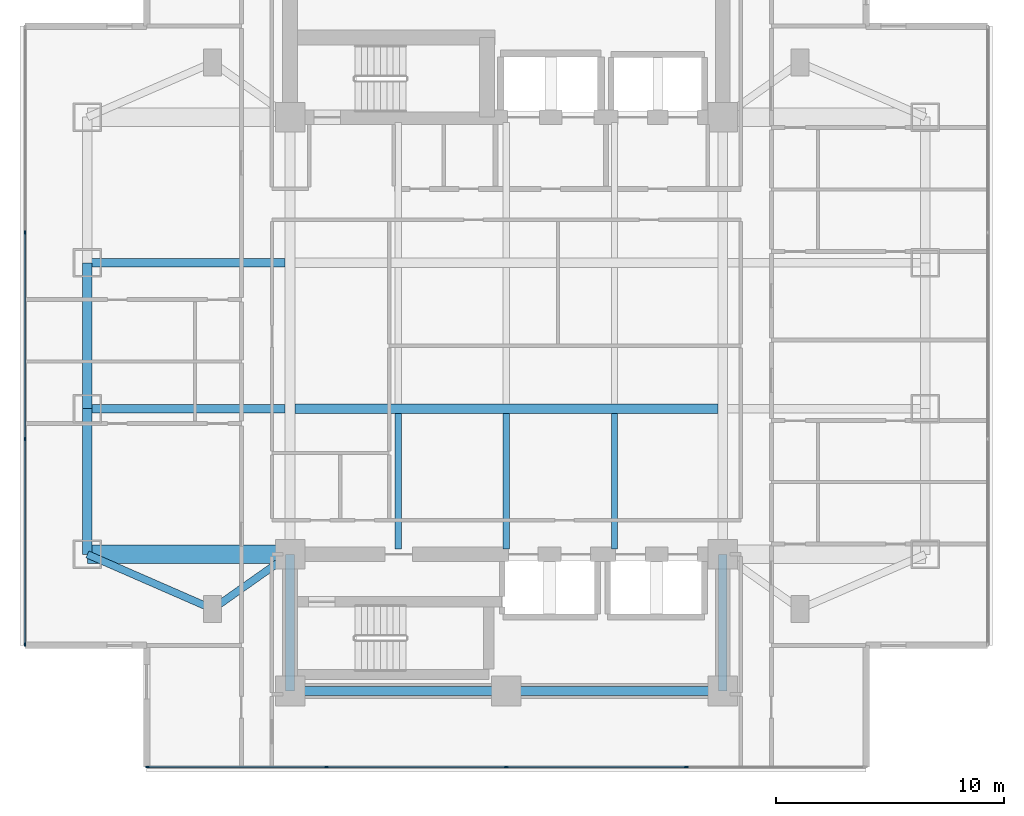
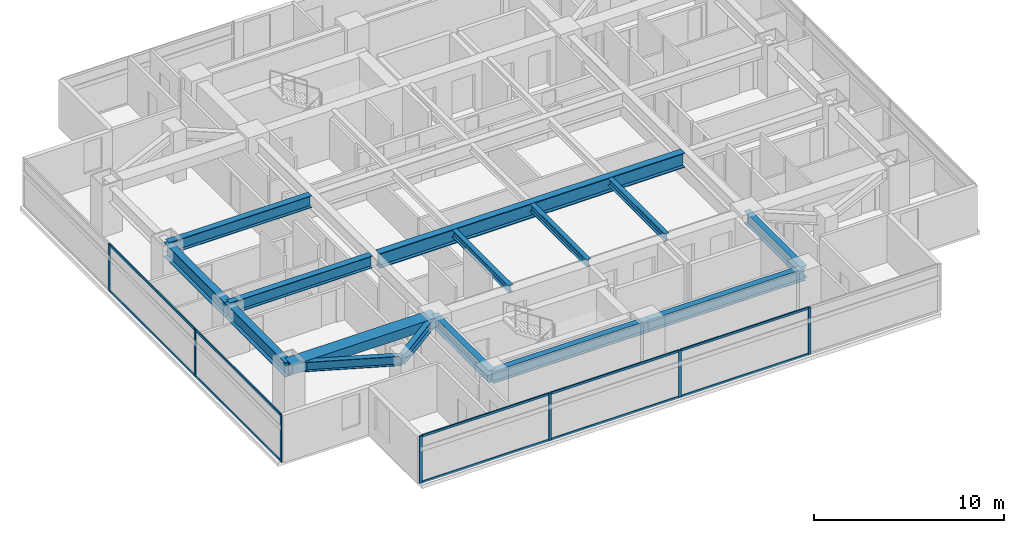
# One storey, part 2 of 25: 17 members, 15 beams, 2 elements without a shape of their own.
"""IFC4 building model written with IfcOpenShell, lengths in metres."""

from ifc_helpers import new_model, si_unit, direction, frame, origin, origin_2d, place, context, subcontext, project, spatial, rectangle, i_section, extrude, material, material_profile, profile_set, type_object, element, aggregate, save


model = new_model("IFC4")

# Units and contexts
model_context = context("Model", 3, precision=1e-05, world=origin(), true_north=direction((0.0, 1.0)))
body_context = subcontext(model_context, "Body", "Model", "MODEL_VIEW")
ifc_project = project(units=[si_unit("LENGTHUNIT", "METRE"), si_unit("AREAUNIT", "SQUARE_METRE"), si_unit("VOLUMEUNIT", "CUBIC_METRE"), si_unit("PLANEANGLEUNIT", "RADIAN"), si_unit("MASSUNIT", "GRAM", prefix="KILO")], contexts=[model_context])

# Site, building, storey
site_placement = place(None, origin())
site = spatial("IfcSite", under=ifc_project, at=site_placement, CompositionType="ELEMENT")
building_placement = place(site_placement, origin())
building = spatial("IfcBuilding", under=site, at=building_placement, Name="Mirazonda Arch Towers", CompositionType="ELEMENT")
storey_placement = place(building_placement, frame((0.0, 0.0, 58.699951171875)))
storey = spatial("IfcBuildingStorey", under=building, at=storey_placement, Name="L16", CompositionType="ELEMENT", Elevation=58.699951171875)

# Beams
ifc_material_1 = material(Name="Steel ASTM A992 Grade 50", Category="steel")
ifc_material_profile_1 = material_profile(ifc_material_1, i_section(OverallWidth=0.41796875, OverallDepth=0.927001953125, WebThickness=0.019287109375, FlangeThickness=0.031982421875, at=origin_2d()), Name="W36X231")
ifc_profile_set_1 = profile_set([ifc_material_profile_1], Name="Steel ASTM A992 Grade 50")
beam_type_1 = type_object("IfcBeamType", Name="BM-EXT-W36X231", PredefinedType="USERDEFINED", material=ifc_profile_set_1)
beam_1_placement = place(storey_placement, frame((2.10009765625, 18.39990234375, 2.596435546875), z_axis=(0.0, 1.0, 0.0), x_axis=(-1.0, 0.0, 0.0)))
element("IfcBeam", 1, at=beam_1_placement, inside=storey, type_object=beam_type_1, Name="L16 Floor Beam BM-T1-L16-NS-W-18", ObjectType="GIRDER", PredefinedType="USERDEFINED", context=body_context, shape_type="SweptSolid", body=[
    extrude(i_section(OverallWidth=0.41796875, OverallDepth=0.927001953125, WebThickness=0.019287109375, FlangeThickness=0.031982421875, at=origin_2d()), origin(), (0.0, 0.0, 1.0), 6.400146484375),
])
beam_2_placement = place(storey_placement, frame((2.10009765625, 24.800048828125, 2.596435546875), z_axis=(0.0, 1.0, 0.0), x_axis=(-1.0, 0.0, 0.0)))
element("IfcBeam", 2, at=beam_2_placement, inside=storey, type_object=beam_type_1, Name="L16 Floor Beam BM-T1-L16-NS-W-24", ObjectType="GIRDER", PredefinedType="USERDEFINED", context=body_context, shape_type="SweptSolid", body=[
    extrude(i_section(OverallWidth=0.41796875, OverallDepth=0.927001953125, WebThickness=0.019287109375, FlangeThickness=0.031982421875, at=origin_2d()), origin(), (0.0, 0.0, 1.0), 6.39990234375),
])
ifc_material_profile_2 = material_profile(ifc_material_1, i_section(OverallWidth=0.280029296875, OverallDepth=0.462890625, WebThickness=0.0107421875, FlangeThickness=0.017333984375, at=origin_2d()), Name="W18X76")
ifc_profile_set_2 = profile_set([ifc_material_profile_2], Name="Steel ASTM A992 Grade 50")
beam_type_2 = type_object("IfcBeamType", Name="BM-INT-W18X76", PredefinedType="JOIST", material=ifc_profile_set_2)
for number, where, z_axis, x_axis, name in (
    (3, (15.75, 18.639892578125, 2.82861328125), (0.0, 1.0, 0.0), (-1.0, 0.0, 0.0), "L16 Floor Beam BM-T1-L16-J-157-18"),
    (4, (20.5, 18.639892578125, 2.82861328125), (0.0, 1.0, 0.0), (-1.0, 0.0, 0.0), "L16 Floor Beam BM-T1-L16-J-205-18"),
    (5, (25.25, 18.639892578125, 2.82861328125), (0.0, 1.0, 0.0), (-1.0, 0.0, 0.0), "L16 Floor Beam BM-T1-L16-J-252-18"),
):
    element("IfcBeam", number, at=place(storey_placement, frame(where, z_axis=z_axis, x_axis=x_axis)), inside=storey, type_object=beam_type_2, Name=name, PredefinedType="JOIST", context=body_context, shape_type="SweptSolid", body=[
        extrude(i_section(OverallWidth=0.280029296875, OverallDepth=0.462890625, WebThickness=0.0107421875, FlangeThickness=0.017333984375, at=origin_2d()), origin(), (0.0, 0.0, 1.0), 5.95263671875),
    ])
ifc_material_profile_3 = material_profile(ifc_material_1, i_section(OverallWidth=0.324951171875, OverallDepth=0.615966796875, WebThickness=0.013916015625, FlangeThickness=0.021484375, at=origin_2d()), Name="W24X117")
ifc_profile_set_3 = profile_set([ifc_material_profile_3], Name="Steel ASTM A992 Grade 50")
beam_type_3 = type_object("IfcBeamType", Name="BM-INT-W24X117", PredefinedType="BEAM", material=ifc_profile_set_3)
beam_3_placement = place(storey_placement, frame((7.60009765625, 16.0, 2.751953125), z_axis=(0.816971114901, 0.576678591087, 0.0), x_axis=(-0.576678591087, 0.816971114901, 0.0)))
element("IfcBeam", 6, at=beam_3_placement, inside=storey, type_object=beam_type_3, Name="L16 Floor Beam BM-T1-L16-PL-SW1", PredefinedType="BEAM", context=body_context, shape_type="SweptSolid", body=[
    extrude(i_section(OverallWidth=0.324951171875, OverallDepth=0.615966796875, WebThickness=0.013916015625, FlangeThickness=0.021484375, at=origin_2d()), origin(), (0.0, 0.0, 1.0), 4.16162109375),
])
beam_4_placement = place(storey_placement, frame((7.60009765625, 16.0, 2.751953125), z_axis=(-0.916545343703, 0.399930785183, 0.0), x_axis=(-0.399930785183, -0.916545343703, 0.0)))
element("IfcBeam", 7, at=beam_4_placement, inside=storey, type_object=beam_type_3, Name="L16 Floor Beam BM-T1-L16-PL-SW2", PredefinedType="BEAM", context=body_context, shape_type="SweptSolid", body=[
    extrude(i_section(OverallWidth=0.324951171875, OverallDepth=0.615966796875, WebThickness=0.013916015625, FlangeThickness=0.021484375, at=origin_2d()), origin(), (0.0, 0.0, 1.0), 6.000732421875),
])
ifc_material_profile_4 = material_profile(ifc_material_1, i_section(OverallWidth=0.381103515625, OverallDepth=0.77294921875, WebThickness=0.0166015625, FlangeThickness=0.027099609375, at=origin_2d()), Name="W30X173")
ifc_profile_set_4 = profile_set([ifc_material_profile_4], Name="Steel ASTM A992 Grade 50")
beam_type_4 = type_object("IfcBeamType", Name="BM-INT-W30X173", PredefinedType="USERDEFINED", material=ifc_profile_set_4)
for number, where, z_axis, x_axis, name in (
    (8, (2.10009765625, 24.800048828125, 2.673583984375), (1.0, 0.0, 0.0), (0.0, 1.0, 0.0), "L16 Floor Beam BM-T1-L16-GW2"),
    (9, (2.10009765625, 31.199951171875, 2.673583984375), (1.0, 0.0, 0.0), (0.0, 1.0, 0.0), "L16 Floor Beam BM-T1-L16-GW3"),
):
    element("IfcBeam", number, at=place(storey_placement, frame(where, z_axis=z_axis, x_axis=x_axis)), inside=storey, type_object=beam_type_4, Name=name, ObjectType="GIRDER", PredefinedType="USERDEFINED", context=body_context, shape_type="SweptSolid", body=[
        extrude(i_section(OverallWidth=0.381103515625, OverallDepth=0.77294921875, WebThickness=0.0166015625, FlangeThickness=0.027099609375, at=origin_2d()), origin(), (0.0, 0.0, 1.0), 8.6884765625),
    ])
for number, where, z_axis, x_axis, name in (
    (10, (11.0, 12.39990234375, 2.673583984375), (1.0, 0.0, 0.0), (0.0, 1.0, 0.0), "L16 Floor Beam BM-T1-L16-CS1"),
    (11, (20.5, 12.39990234375, 2.673583984375), (1.0, 0.0, 0.0), (0.0, 1.0, 0.0), "L16 Floor Beam BM-T1-L16-CS2"),
):
    element("IfcBeam", number, at=place(storey_placement, frame(where, z_axis=z_axis, x_axis=x_axis)), inside=storey, type_object=beam_type_4, Name=name, ObjectType="GIRDER", PredefinedType="USERDEFINED", context=body_context, shape_type="SweptSolid", body=[
        extrude(i_section(OverallWidth=0.381103515625, OverallDepth=0.77294921875, WebThickness=0.0166015625, FlangeThickness=0.027099609375, at=origin_2d()), origin(), (0.0, 0.0, 1.0), 9.5),
    ])
for number, where, z_axis, x_axis, name in (
    (12, (11.0, 12.39990234375, 2.673583984375), (0.0, 1.0, 0.0), (-1.0, 0.0, 0.0), "L16 Floor Beam BM-T1-L16-CSW"),
    (13, (30.0, 12.39990234375, 2.673583984375), (0.0, 1.0, 0.0), (-1.0, 0.0, 0.0), "L16 Floor Beam BM-T1-L16-CSE"),
):
    element("IfcBeam", number, at=place(storey_placement, frame(where, z_axis=z_axis, x_axis=x_axis)), inside=storey, type_object=beam_type_4, Name=name, ObjectType="GIRDER", PredefinedType="USERDEFINED", context=body_context, shape_type="SweptSolid", body=[
        extrude(i_section(OverallWidth=0.381103515625, OverallDepth=0.77294921875, WebThickness=0.0166015625, FlangeThickness=0.027099609375, at=origin_2d()), origin(), (0.0, 0.0, 1.0), 6.0),
    ])
ifc_material_profile_5 = material_profile(ifc_material_1, i_section(OverallWidth=0.423095703125, OverallDepth=0.947998046875, WebThickness=0.02392578125, FlangeThickness=0.042724609375, at=origin_2d()), Name="W36X302")
ifc_profile_set_5 = profile_set([ifc_material_profile_5], Name="Steel ASTM A992 Grade 50")
beam_type_5 = type_object("IfcBeamType", Name="BM-INT-W36X302", PredefinedType="USERDEFINED", material=ifc_profile_set_5)
beam_5_placement = place(storey_placement, frame((11.21142578125, 24.800048828125, 2.5859375), z_axis=(1.0, 0.0, 0.0), x_axis=(0.0, 1.0, 0.0)))
element("IfcBeam", 14, at=beam_5_placement, inside=storey, type_object=beam_type_5, Name="L16 Floor Beam BM-T1-L16-GC2", ObjectType="GIRDER", PredefinedType="USERDEFINED", context=body_context, shape_type="SweptSolid", body=[
    extrude(i_section(OverallWidth=0.423095703125, OverallDepth=0.947998046875, WebThickness=0.02392578125, FlangeThickness=0.042724609375, at=origin_2d()), origin(), (0.0, 0.0, 1.0), 18.5771484375),
])
ifc_material_2 = material(Name="Concrete C60/75", Category="concrete")
ifc_material_profile_6 = material_profile(ifc_material_2, rectangle(XDim=0.800048828125, YDim=0.60009765625, at=origin_2d()), Name="RCCB800x600")
ifc_profile_set_6 = profile_set([ifc_material_profile_6], Name="Concrete C60/75")
beam_type_6 = type_object("IfcBeamType", Name="CB-INT-RCCB800x600", PredefinedType="SPANDREL", material=ifc_profile_set_6)
beam_6_placement = place(storey_placement, frame((2.10009765625, 18.39990234375, 2.760009765625), z_axis=(1.0, 0.0, 0.0), x_axis=(0.0, 1.0, 0.0)))
element("IfcBeam", 15, at=beam_6_placement, inside=storey, type_object=beam_type_6, Name="L16 Floor Beam CBC-T1-L16-SW", PredefinedType="SPANDREL", context=body_context, shape_type="SweptSolid", body=[
    extrude(rectangle(XDim=0.800048828125, YDim=0.60009765625, at=origin_2d()), origin(), (0.0, 0.0, 1.0), 8.89990234375),
])

# Curtain wall, members
ifc_material_3 = material(Name="Anodised Aluminium and Low-E Glass", Category="aluminium")
curtain_wall_type = type_object("IfcCurtainWallType", Name="CW-HTL-UNIT", PredefinedType="NOTDEFINED", material=ifc_material_3)
curtain_wall_1_placement = place(storey_placement, origin())
curtain_wall_1 = element("IfcCurtainWall", 16, at=curtain_wall_1_placement, inside=storey, type_object=curtain_wall_type, Name="L16 T1 S Facade CW-L16-T1-S", PredefinedType="NOTDEFINED")
ifc_material_4 = material(Name="Anodised Aluminium Alloy", Category="aluminium")
ifc_material_profile_7 = material_profile(ifc_material_4, rectangle(XDim=0.074951171875, YDim=0.1650390625, at=origin_2d()), Name="ALU-MULL-75x165")
ifc_profile_set_7 = profile_set([ifc_material_profile_7], Name="Anodised Aluminium Alloy")
member_type_1 = type_object("IfcMemberType", Name="MULL-CW-HTL-UNIT", PredefinedType="MULLION", material=ifc_profile_set_7)
member_1_placement = place(storey_placement, frame((28.39990234375, 9.06396484375, 0.0), z_axis=(0.0, 0.0, 1.0), x_axis=(0.0, -1.0, 0.0)))
member_1 = element("IfcMember", 17, at=member_1_placement, type_object=member_type_1, Name="CW-112 mullion 2", PredefinedType="MULLION", context=body_context, shape_type="SweptSolid", body=[
    extrude(rectangle(XDim=0.074951171875, YDim=0.1650390625, at=origin_2d()), origin(), (0.0, 0.0, 1.0), 3.0400390625),
])
member_2_placement = place(storey_placement, frame((20.5, 9.06396484375, 0.0), z_axis=(0.0, 0.0, 1.0), x_axis=(0.0, -1.0, 0.0)))
member_2 = element("IfcMember", 18, at=member_2_placement, type_object=member_type_1, Name="CW-112 mullion 3", PredefinedType="MULLION", context=body_context, shape_type="SweptSolid", body=[
    extrude(rectangle(XDim=0.074951171875, YDim=0.1650390625, at=origin_2d()), origin(), (0.0, 0.0, 1.0), 3.0400390625),
])
member_3_placement = place(storey_placement, frame((12.60009765625, 9.06396484375, 0.0), z_axis=(0.0, 0.0, 1.0), x_axis=(0.0, -1.0, 0.0)))
member_3 = element("IfcMember", 19, at=member_3_placement, type_object=member_type_1, Name="CW-112 mullion 4", PredefinedType="MULLION", context=body_context, shape_type="SweptSolid", body=[
    extrude(rectangle(XDim=0.074951171875, YDim=0.1650390625, at=origin_2d()), origin(), (0.0, 0.0, 1.0), 3.0400390625),
])
member_4_placement = place(storey_placement, frame((4.737548828125, 9.06396484375, 0.0), z_axis=(0.0, 0.0, 1.0), x_axis=(0.0, -1.0, 0.0)))
member_4 = element("IfcMember", 20, at=member_4_placement, type_object=member_type_1, Name="CW-112 mullion 5", PredefinedType="MULLION", context=body_context, shape_type="SweptSolid", body=[
    extrude(rectangle(XDim=0.074951171875, YDim=0.1650390625, at=origin_2d()), origin(), (0.0, 0.0, 1.0), 3.0400390625),
])

curtain_wall_2_placement = place(storey_placement, origin())
curtain_wall_2 = element("IfcCurtainWall", 21, at=curtain_wall_2_placement, inside=storey, type_object=curtain_wall_type, Name="L16 T1 W Facade CW-L16-T1-W", PredefinedType="NOTDEFINED")
member_5_placement = place(storey_placement, frame((-0.639892578125, 32.531982421875, 0.0), z_axis=(0.0, 0.0, 1.0), x_axis=(1.0, 0.0, 0.0)))
member_5 = element("IfcMember", 22, at=member_5_placement, type_object=member_type_1, Name="CW-112 mullion 2", PredefinedType="MULLION", context=body_context, shape_type="SweptSolid", body=[
    extrude(rectangle(XDim=0.074951171875, YDim=0.1650390625, at=origin_2d()), origin(), (0.0, 0.0, 1.0), 3.0400390625),
])
member_6_placement = place(storey_placement, frame((-0.639892578125, 23.468017578125, 0.0), z_axis=(0.0, 0.0, 1.0), x_axis=(1.0, 0.0, 0.0)))
member_6 = element("IfcMember", 23, at=member_6_placement, type_object=member_type_1, Name="CW-112 mullion 3", PredefinedType="MULLION", context=body_context, shape_type="SweptSolid", body=[
    extrude(rectangle(XDim=0.074951171875, YDim=0.1650390625, at=origin_2d()), origin(), (0.0, 0.0, 1.0), 3.0400390625),
])
member_7_placement = place(storey_placement, frame((-0.639892578125, 14.44140625, 0.0), z_axis=(0.0, 0.0, 1.0), x_axis=(1.0, 0.0, 0.0)))
member_7 = element("IfcMember", 24, at=member_7_placement, type_object=member_type_1, Name="CW-112 mullion 4", PredefinedType="MULLION", context=body_context, shape_type="SweptSolid", body=[
    extrude(rectangle(XDim=0.074951171875, YDim=0.1650390625, at=origin_2d()), origin(), (0.0, 0.0, 1.0), 3.0400390625),
])

# Member
ifc_material_profile_8 = material_profile(ifc_material_4, rectangle(XDim=0.074951171875, YDim=0.14501953125, at=origin_2d()), Name="ALU-TRAN-75x145")
ifc_profile_set_8 = profile_set([ifc_material_profile_8], Name="Anodised Aluminium Alloy")
member_type_2 = type_object("IfcMemberType", Name="TRAN-CW-HTL-UNIT", PredefinedType="USERDEFINED", material=ifc_profile_set_8)
member_8_placement = place(storey_placement, frame((28.362548828125, 9.06396484375, 0.03759765625), z_axis=(-1.0, 0.0, 0.0), x_axis=(0.0, -1.0, 0.0)))
member_8 = element("IfcMember", 25, at=member_8_placement, type_object=member_type_2, Name="CW-112 transom 2.1", ObjectType="TRANSOM", PredefinedType="USERDEFINED", context=body_context, shape_type="SweptSolid", body=[
    extrude(rectangle(XDim=0.074951171875, YDim=0.14501953125, at=origin_2d()), origin(), (0.0, 0.0, 1.0), 7.824951171875),
])

member_9_placement = place(storey_placement, frame((28.362548828125, 9.06396484375, 3.00244140625), z_axis=(-1.0, 0.0, 0.0), x_axis=(0.0, -1.0, 0.0)))
member_9 = element("IfcMember", 26, at=member_9_placement, type_object=member_type_2, Name="CW-112 transom 2.2", ObjectType="TRANSOM", PredefinedType="USERDEFINED", context=body_context, shape_type="SweptSolid", body=[
    extrude(rectangle(XDim=0.074951171875, YDim=0.14501953125, at=origin_2d()), origin(), (0.0, 0.0, 1.0), 7.824951171875),
])

member_10_placement = place(storey_placement, frame((20.46240234375, 9.06396484375, 0.03759765625), z_axis=(-1.0, 0.0, 0.0), x_axis=(0.0, -1.0, 0.0)))
member_10 = element("IfcMember", 27, at=member_10_placement, type_object=member_type_2, Name="CW-112 transom 3.1", ObjectType="TRANSOM", PredefinedType="USERDEFINED", context=body_context, shape_type="SweptSolid", body=[
    extrude(rectangle(XDim=0.074951171875, YDim=0.14501953125, at=origin_2d()), origin(), (0.0, 0.0, 1.0), 7.824951171875),
])

member_11_placement = place(storey_placement, frame((20.46240234375, 9.06396484375, 3.00244140625), z_axis=(-1.0, 0.0, 0.0), x_axis=(0.0, -1.0, 0.0)))
member_11 = element("IfcMember", 28, at=member_11_placement, type_object=member_type_2, Name="CW-112 transom 3.2", ObjectType="TRANSOM", PredefinedType="USERDEFINED", context=body_context, shape_type="SweptSolid", body=[
    extrude(rectangle(XDim=0.074951171875, YDim=0.14501953125, at=origin_2d()), origin(), (0.0, 0.0, 1.0), 7.824951171875),
])

member_12_placement = place(storey_placement, frame((12.5625, 9.06396484375, 0.03759765625), z_axis=(-1.0, 0.0, 0.0), x_axis=(0.0, -1.0, 0.0)))
member_12 = element("IfcMember", 29, at=member_12_placement, type_object=member_type_2, Name="CW-112 transom 4.1", ObjectType="TRANSOM", PredefinedType="USERDEFINED", context=body_context, shape_type="SweptSolid", body=[
    extrude(rectangle(XDim=0.074951171875, YDim=0.14501953125, at=origin_2d()), origin(), (0.0, 0.0, 1.0), 7.78759765625),
])

member_13_placement = place(storey_placement, frame((12.5625, 9.06396484375, 3.00244140625), z_axis=(-1.0, 0.0, 0.0), x_axis=(0.0, -1.0, 0.0)))
member_13 = element("IfcMember", 30, at=member_13_placement, type_object=member_type_2, Name="CW-112 transom 4.2", ObjectType="TRANSOM", PredefinedType="USERDEFINED", context=body_context, shape_type="SweptSolid", body=[
    extrude(rectangle(XDim=0.074951171875, YDim=0.14501953125, at=origin_2d()), origin(), (0.0, 0.0, 1.0), 7.78759765625),
])

aggregate(curtain_wall_1, [member_1, member_2, member_3, member_4, member_8, member_9, member_10, member_11, member_12, member_13])

member_14_placement = place(storey_placement, frame((-0.639892578125, 32.494384765625, 0.03759765625), z_axis=(0.0, -1.0, 0.0), x_axis=(1.0, 0.0, 0.0)))
member_14 = element("IfcMember", 31, at=member_14_placement, type_object=member_type_2, Name="CW-112 transom 2.1", ObjectType="TRANSOM", PredefinedType="USERDEFINED", context=body_context, shape_type="SweptSolid", body=[
    extrude(rectangle(XDim=0.074951171875, YDim=0.14501953125, at=origin_2d()), origin(), (0.0, 0.0, 1.0), 8.98876953125),
])

member_15_placement = place(storey_placement, frame((-0.639892578125, 32.494384765625, 3.00244140625), z_axis=(0.0, -1.0, 0.0), x_axis=(1.0, 0.0, 0.0)))
member_15 = element("IfcMember", 32, at=member_15_placement, type_object=member_type_2, Name="CW-112 transom 2.2", ObjectType="TRANSOM", PredefinedType="USERDEFINED", context=body_context, shape_type="SweptSolid", body=[
    extrude(rectangle(XDim=0.074951171875, YDim=0.14501953125, at=origin_2d()), origin(), (0.0, 0.0, 1.0), 8.98876953125),
])

member_16_placement = place(storey_placement, frame((-0.639892578125, 23.430419921875, 0.03759765625), z_axis=(0.0, -1.0, 0.0), x_axis=(1.0, 0.0, 0.0)))
member_16 = element("IfcMember", 33, at=member_16_placement, type_object=member_type_2, Name="CW-112 transom 3.1", ObjectType="TRANSOM", PredefinedType="USERDEFINED", context=body_context, shape_type="SweptSolid", body=[
    extrude(rectangle(XDim=0.074951171875, YDim=0.14501953125, at=origin_2d()), origin(), (0.0, 0.0, 1.0), 8.951416015625),
])

member_17_placement = place(storey_placement, frame((-0.639892578125, 23.430419921875, 3.00244140625), z_axis=(0.0, -1.0, 0.0), x_axis=(1.0, 0.0, 0.0)))
member_17 = element("IfcMember", 34, at=member_17_placement, type_object=member_type_2, Name="CW-112 transom 3.2", ObjectType="TRANSOM", PredefinedType="USERDEFINED", context=body_context, shape_type="SweptSolid", body=[
    extrude(rectangle(XDim=0.074951171875, YDim=0.14501953125, at=origin_2d()), origin(), (0.0, 0.0, 1.0), 8.951416015625),
])

aggregate(curtain_wall_2, [member_5, member_6, member_7, member_14, member_15, member_16, member_17])

save(model, "model.ifc")
